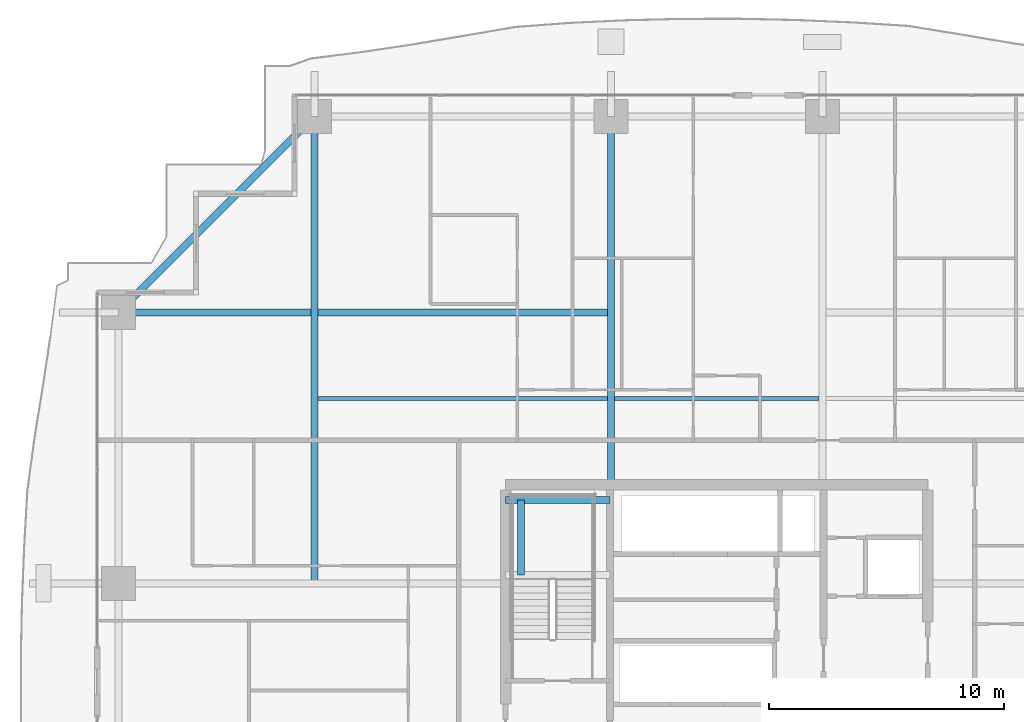
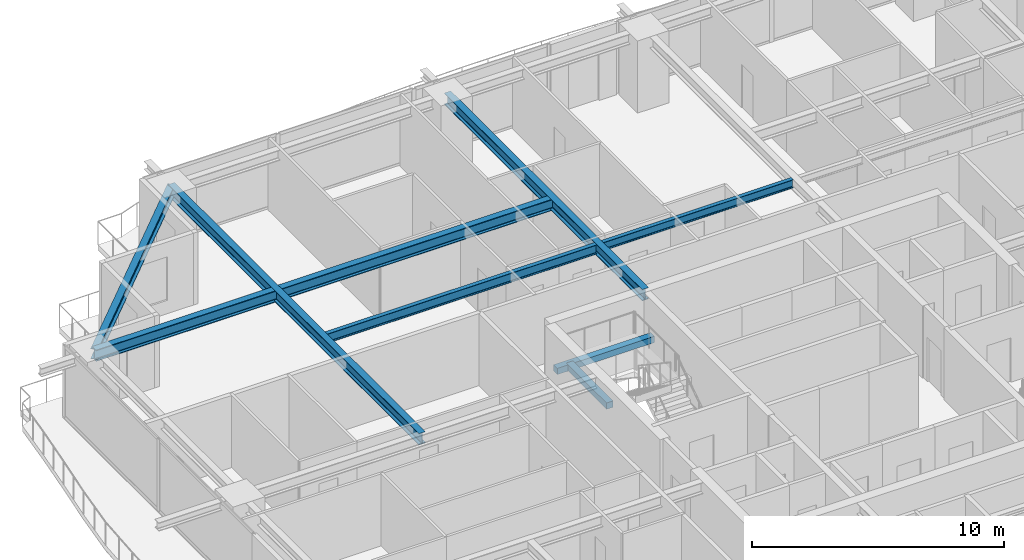
# One storey, part 16 of 35: 8 beams.
"""IFC4 building model written with IfcOpenShell, lengths in metres."""

from ifc_helpers import new_model, si_unit, direction, frame, origin, origin_2d, place, context, subcontext, project, spatial, rectangle, i_section, extrude, source, transform, mapped, material, material_profile, profile_set, type_object, element, save


model = new_model("IFC4")

# Units and contexts
model_context = context("Model", 3, precision=1e-05, world=origin(), true_north=direction((0.0, 1.0)))
body_context = subcontext(model_context, "Body", "Model", "MODEL_VIEW")
ifc_project = project(units=[si_unit("LENGTHUNIT", "METRE"), si_unit("AREAUNIT", "SQUARE_METRE"), si_unit("VOLUMEUNIT", "CUBIC_METRE"), si_unit("PLANEANGLEUNIT", "RADIAN"), si_unit("MASSUNIT", "GRAM", prefix="KILO")], contexts=[model_context])

# Site, building, storey
site_placement = place(None, origin())
site = spatial("IfcSite", under=ifc_project, at=site_placement, CompositionType="ELEMENT")
building_placement = place(site_placement, origin())
building = spatial("IfcBuilding", under=site, at=building_placement, Name="Serunith Strait Residences", CompositionType="ELEMENT")
storey_placement = place(building_placement, frame((0.0, 0.0, 56.699951171875)))
storey = spatial("IfcBuildingStorey", under=building, at=storey_placement, Name="L13", CompositionType="ELEMENT", Elevation=56.699951171875)

# Beams
ifc_material_1 = material(Name="Steel S355J2", Category="steel")
ifc_material_profile_1 = material_profile(ifc_material_1, i_section(OverallWidth=0.300048828125, OverallDepth=0.550048828125, WebThickness=0.014892578125, FlangeThickness=0.029052734375, FilletRadius=0.027099609375, at=origin_2d()), Name="HEB 550")
ifc_profile_set_1 = profile_set([ifc_material_profile_1], Name="Steel S355J2")
beam_type_1 = type_object("IfcBeamType", Name="BM-HEB550", PredefinedType="BEAM", material=ifc_profile_set_1)
shared_shape_1 = source(origin(), body_context, "Body", "SweptSolid", [
    extrude(i_section(OverallWidth=0.300048828125, OverallDepth=0.550048828125, WebThickness=0.014892578125, FlangeThickness=0.029052734375, FilletRadius=0.027099609375, at=origin_2d()), origin(), (0.0, 0.0, 1.0), 15.699951171875),
])
beam_1_placement = place(storey_placement, frame((27.89990234375, 33.60009765625, 3.212158203125), z_axis=(0.0, 1.0, 0.0), x_axis=(-1.0, 0.0, 0.0)))
element("IfcBeam", 1, at=beam_1_placement, inside=storey, type_object=beam_type_1, Name="L13 Primary Floor Girder TC-N2", PredefinedType="BEAM", context=body_context, shape_type="MappedRepresentation", body=[
    mapped(shared_shape_1, transform((0.0, 0.0, 0.0), scale=1.0)),
])
shared_shape_2 = source(origin(), body_context, "Body", "SweptSolid", [
    extrude(i_section(OverallWidth=0.300048828125, OverallDepth=0.550048828125, WebThickness=0.014892578125, FlangeThickness=0.029052734375, FilletRadius=0.027099609375, at=origin_2d()), origin(), (0.0, 0.0, 1.0), 19.900146484375),
])
beam_2_placement = place(storey_placement, frame((15.25, 29.39990234375, 3.212158203125), z_axis=(0.0, 1.0, 0.0), x_axis=(-1.0, 0.0, 0.0)))
element("IfcBeam", 2, at=beam_2_placement, inside=storey, type_object=beam_type_1, Name="L13 Orthogonal Corner Girder TC-N1", PredefinedType="BEAM", context=body_context, shape_type="MappedRepresentation", body=[
    mapped(shared_shape_2, transform((0.0, 0.0, 0.0), scale=1.0)),
])
shared_shape_3 = source(origin(), body_context, "Body", "SweptSolid", [
    extrude(i_section(OverallWidth=0.300048828125, OverallDepth=0.550048828125, WebThickness=0.014892578125, FlangeThickness=0.029052734375, FilletRadius=0.027099609375, at=origin_2d()), origin(), (0.0, 0.0, 1.0), 21.0),
])
beam_3_placement = place(storey_placement, frame((27.89990234375, 40.949951171875, 3.212158203125), z_axis=(-1.0, 0.0, 0.0), x_axis=(0.0, -1.0, 0.0)))
element("IfcBeam", 3, at=beam_3_placement, inside=storey, type_object=beam_type_1, Name="L13 Orthogonal Corner Girder TC-W4", PredefinedType="BEAM", context=body_context, shape_type="MappedRepresentation", body=[
    mapped(shared_shape_3, transform((0.0, 0.0, 0.0), scale=1.0)),
])
ifc_material_profile_2 = material_profile(ifc_material_1, i_section(OverallWidth=0.300048828125, OverallDepth=0.5, WebThickness=0.014404296875, FlangeThickness=0.028076171875, FilletRadius=0.027099609375, at=origin_2d()), Name="HEB 500")
ifc_profile_set_2 = profile_set([ifc_material_profile_2], Name="Steel S355J2")
beam_type_2 = type_object("IfcBeamType", Name="BM-HEB500", PredefinedType="BEAM", material=ifc_profile_set_2)
shared_shape_4 = source(origin(), body_context, "Body", "SweptSolid", [
    extrude(i_section(OverallWidth=0.300048828125, OverallDepth=0.5, WebThickness=0.014404296875, FlangeThickness=0.028076171875, FilletRadius=0.027099609375, at=origin_2d()), origin(), (0.0, 0.0, 1.0), 11.808837890625),
])
beam_4_placement = place(storey_placement, frame((15.25, 49.300048828125, 3.20703125), z_axis=(-0.707106781187, -0.707106781187, 0.0), x_axis=(0.707106781187, -0.707106781187, 0.0)))
element("IfcBeam", 4, at=beam_4_placement, inside=storey, type_object=beam_type_2, Name="L13 Perimeter Ring Beam 12", PredefinedType="BEAM", context=body_context, shape_type="MappedRepresentation", body=[
    mapped(shared_shape_4, transform((0.0, 0.0, 0.0), scale=1.0)),
])
ifc_material_profile_3 = material_profile(ifc_material_1, i_section(OverallWidth=0.18994140625, OverallDepth=0.449951171875, WebThickness=0.009521484375, FlangeThickness=0.0146484375, FilletRadius=0.02099609375, at=origin_2d()), Name="IPE 450")
ifc_profile_set_3 = profile_set([ifc_material_profile_3], Name="Steel S355J2")
beam_type_3 = type_object("IfcBeamType", Name="BM-IPE450", PredefinedType="JOIST", material=ifc_profile_set_3)
shared_shape_5 = source(origin(), body_context, "Body", "SweptSolid", [
    extrude(i_section(OverallWidth=0.18994140625, OverallDepth=0.449951171875, WebThickness=0.009521484375, FlangeThickness=0.0146484375, FilletRadius=0.02099609375, at=origin_2d()), origin(), (0.0, 0.0, 1.0), 12.35009765625),
])
beam_5_placement = place(storey_placement, frame((15.39990234375, 37.27490234375, 3.261962890625), z_axis=(1.0, 0.0, 0.0), x_axis=(0.0, 1.0, 0.0)))
element("IfcBeam", 5, at=beam_5_placement, inside=storey, type_object=beam_type_3, Name="L13 Composite Floor Joist 04", PredefinedType="JOIST", context=body_context, shape_type="MappedRepresentation", body=[
    mapped(shared_shape_5, transform((0.0, 0.0, 0.0), scale=1.0)),
])
ifc_material_profile_4 = material_profile(ifc_material_1, i_section(OverallWidth=0.179931640625, OverallDepth=0.39990234375, WebThickness=0.008544921875, FlangeThickness=0.013427734375, FilletRadius=0.02099609375, at=origin_2d()), Name="IPE 400")
ifc_profile_set_4 = profile_set([ifc_material_profile_4], Name="Steel S355J2")
beam_type_4 = type_object("IfcBeamType", Name="BM-IPE400", PredefinedType="JOIST", material=ifc_profile_set_4)
shared_shape_6 = source(origin(), body_context, "Body", "SweptSolid", [
    extrude(i_section(OverallWidth=0.179931640625, OverallDepth=0.39990234375, WebThickness=0.008544921875, FlangeThickness=0.013427734375, FilletRadius=0.02099609375, at=origin_2d()), origin(), (0.0, 0.0, 1.0), 8.699951171875),
])
beam_6_placement = place(storey_placement, frame((28.050048828125, 37.27490234375, 3.287109375), z_axis=(1.0, 0.0, 0.0), x_axis=(0.0, 1.0, 0.0)))
element("IfcBeam", 6, at=beam_6_placement, inside=storey, type_object=beam_type_4, Name="L13 Composite Floor Joist 05", PredefinedType="JOIST", context=body_context, shape_type="MappedRepresentation", body=[
    mapped(shared_shape_6, transform((0.0, 0.0, 0.0), scale=1.0)),
])
ifc_material_2 = material(Name="Concrete C60/75", Category="concrete")
ifc_material_profile_5 = material_profile(ifc_material_2, rectangle(XDim=0.300048828125, YDim=0.300048828125, at=origin_2d()), Name="RC 300x300")
ifc_profile_set_5 = profile_set([ifc_material_profile_5], Name="Concrete C60/75")
beam_type_5 = type_object("IfcBeamType", Name="BM-LAND-300x300", PredefinedType="BEAM", material=ifc_profile_set_5)
shared_shape_7 = source(origin(), body_context, "Body", "SweptSolid", [
    extrude(rectangle(XDim=0.300048828125, YDim=0.300048828125, at=origin_2d()), origin(), (0.0, 0.0, 1.0), 4.4501953125),
])
beam_7_placement = place(storey_placement, frame((23.39990234375, 32.949951171875, 1.525146484375), z_axis=(1.0, 0.0, 0.0), x_axis=(0.0, 1.0, 0.0)))
element("IfcBeam", 7, at=beam_7_placement, inside=storey, type_object=beam_type_5, Name="L13 ST-1 Landing Support Beam 2", PredefinedType="BEAM", context=body_context, shape_type="MappedRepresentation", body=[
    mapped(shared_shape_7, transform((0.0, 0.0, 0.0), scale=1.0)),
])
shared_shape_8 = source(origin(), body_context, "Body", "SweptSolid", [
    extrude(rectangle(XDim=0.300048828125, YDim=0.300048828125, at=origin_2d()), origin(), (0.0, 0.0, 1.0), 3.199951171875),
])
beam_8_placement = place(storey_placement, frame((24.050048828125, 29.75, 1.525146484375), z_axis=(0.0, 1.0, 0.0), x_axis=(-1.0, 0.0, 0.0)))
element("IfcBeam", 8, at=beam_8_placement, inside=storey, type_object=beam_type_5, Name="L13 ST-1 Landing Transverse Tie Beam", PredefinedType="BEAM", context=body_context, shape_type="MappedRepresentation", body=[
    mapped(shared_shape_8, transform((0.0, 0.0, 0.0), scale=1.0)),
])

save(model, "model.ifc")
